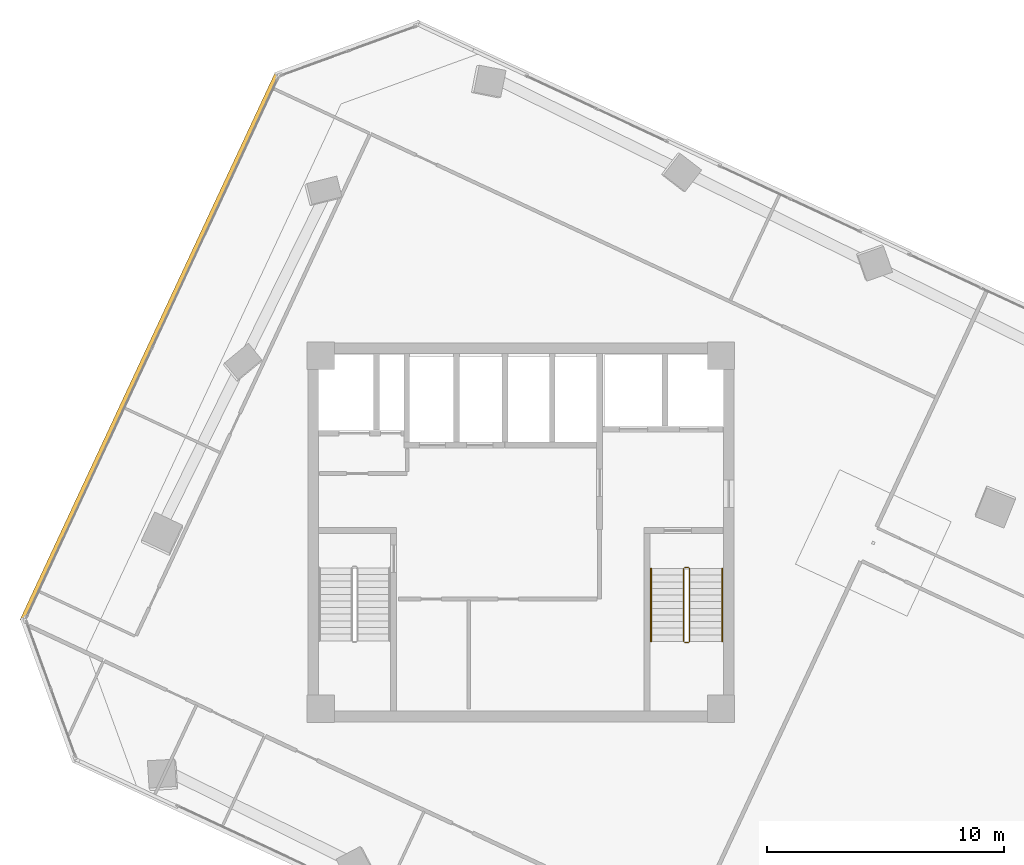
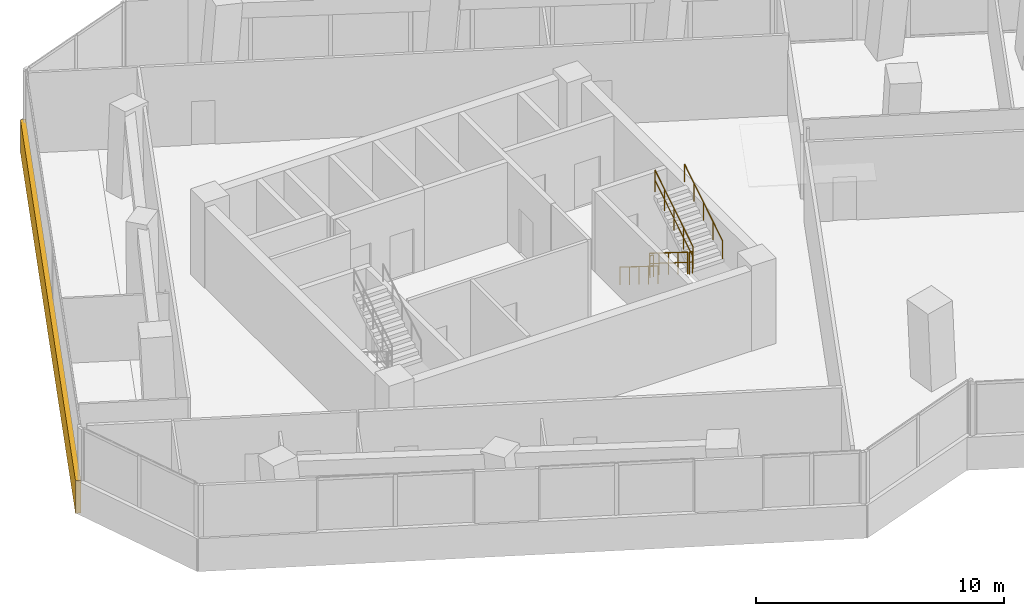
# One storey, part 21 of 23: 6 railings, 1 covering.
"""IFC4 building model written with IfcOpenShell, lengths in metres."""

from ifc_helpers import new_model, si_unit, direction, frame, origin, origin_2d, place, context, subcontext, project, spatial, rectangle, circle, extrude, source, transform, mapped, material, layer, layer_set, type_object, element, save


model = new_model("IFC4")

# Units and contexts
model_context = context("Model", 3, precision=1e-05, world=origin(), true_north=direction((0.0, 1.0)))
body_context = subcontext(model_context, "Body", "Model", "MODEL_VIEW")
ifc_project = project(units=[si_unit("LENGTHUNIT", "METRE"), si_unit("AREAUNIT", "SQUARE_METRE"), si_unit("VOLUMEUNIT", "CUBIC_METRE"), si_unit("PLANEANGLEUNIT", "RADIAN"), si_unit("MASSUNIT", "GRAM", prefix="KILO")], contexts=[model_context])

# Site, building, storey
site_placement = place(None, origin())
site = spatial("IfcSite", under=ifc_project, at=site_placement, CompositionType="ELEMENT")
building_placement = place(site_placement, origin())
building = spatial("IfcBuilding", under=site, at=building_placement, Name="Torre Montelarca", CompositionType="ELEMENT")
storey_placement = place(building_placement, frame((0.0, 0.0, 158.199951171875)))
storey = spatial("IfcBuildingStorey", under=building, at=storey_placement, Name="L35", CompositionType="ELEMENT", Elevation=158.199951171875)

# Railings
ifc_material_1 = material(Name="Powder-coated steel ASTM A500 Grade C", Category="steel")
railing_type_1 = type_object("IfcRailingType", Name="RL-GUARD-1100", PredefinedType="BALUSTRADE", material=ifc_material_1)
railing_1_placement = place(storey_placement, frame((24.8701171875, 30.469970703125, 0.175048828125)))
element("IfcRailing", 1, at=railing_1_placement, inside=storey, type_object=railing_type_1, Name="L35 ST2 stair guard 1", PredefinedType="BALUSTRADE", context=body_context, shape_type="SweptSolid", body=[
    extrude(circle(Radius=0.02392578125, at=origin_2d()), frame((0.0, 0.0, 1.076171875), z_axis=(0.0, -0.847998304005, 0.529998940003), x_axis=(1.0, 0.0, 0.0)), (0.0, 0.0, 1.0), 3.632080078125),
    extrude(circle(Radius=0.02099609375, at=origin_2d()), frame((0.0, 0.0, 0.572021484375), z_axis=(0.0, -0.847998304005, 0.529998940003), x_axis=(1.0, 0.0, 0.0)), (0.0, 0.0, 1.0), 3.632080078125),
    extrude(circle(Radius=0.02099609375, at=origin_2d()), origin(), (0.0, 0.0, 1.0), 1.052001953125),
    extrude(circle(Radius=0.02099609375, at=origin_2d()), frame((0.0, -0.77001953125, 0.481201171875)), (0.0, 0.0, 1.0), 1.052001953125),
    extrude(circle(Radius=0.02099609375, at=origin_2d()), frame((0.0, -1.5400390625, 0.96240234375)), (0.0, 0.0, 1.0), 1.052001953125),
    extrude(circle(Radius=0.02099609375, at=origin_2d()), frame((0.0, -2.31005859375, 1.44384765625)), (0.0, 0.0, 1.0), 1.052001953125),
    extrude(circle(Radius=0.02099609375, at=origin_2d()), frame((0.0, -3.080078125, 1.925048828125)), (0.0, 0.0, 1.0), 1.052001953125),
])
railing_2_placement = place(storey_placement, frame((24.919921875, 27.340087890625, 2.10009765625)))
element("IfcRailing", 2, at=railing_2_placement, inside=storey, type_object=railing_type_1, Name="L35 ST2 stair guard 2", PredefinedType="BALUSTRADE", context=body_context, shape_type="SweptSolid", body=[
    extrude(circle(Radius=0.02392578125, at=origin_2d()), frame((0.0, 0.0, 1.076171875), z_axis=(1.0, 0.0, 0.0), x_axis=(0.0, 1.0, 0.0)), (0.0, 0.0, 1.0), 0.150146484375),
    extrude(circle(Radius=0.02099609375, at=origin_2d()), frame((0.0, 0.0, 0.572021484375), z_axis=(1.0, 0.0, 0.0), x_axis=(0.0, 1.0, 0.0)), (0.0, 0.0, 1.0), 0.150146484375),
    extrude(circle(Radius=0.02099609375, at=origin_2d()), origin(), (0.0, 0.0, 1.0), 1.052001953125),
    extrude(circle(Radius=0.02099609375, at=origin_2d()), frame((0.150146484375, 0.0, 0.0)), (0.0, 0.0, 1.0), 1.052001953125),
])
railing_3_placement = place(storey_placement, frame((25.1201171875, 27.389892578125, 2.275146484375)))
element("IfcRailing", 3, at=railing_3_placement, inside=storey, type_object=railing_type_1, Name="L35 ST2 stair guard 3", PredefinedType="BALUSTRADE", context=body_context, shape_type="SweptSolid", body=[
    extrude(circle(Radius=0.02392578125, at=origin_2d()), frame((0.0, 0.0, 1.076171875), z_axis=(0.0, 0.848028513186, 0.529950602248), x_axis=(-1.0, 0.0, 0.0)), (0.0, 0.0, 1.0), 3.632080078125),
    extrude(circle(Radius=0.02099609375, at=origin_2d()), frame((0.0, 0.0, 0.572021484375), z_axis=(0.0, 0.848028513186, 0.529950602248), x_axis=(-1.0, 0.0, 0.0)), (0.0, 0.0, 1.0), 3.632080078125),
    extrude(circle(Radius=0.02099609375, at=origin_2d()), origin(), (0.0, 0.0, 1.0), 1.052001953125),
    extrude(circle(Radius=0.02099609375, at=origin_2d()), frame((0.0, 0.77001953125, 0.481201171875)), (0.0, 0.0, 1.0), 1.052001953125),
    extrude(circle(Radius=0.02099609375, at=origin_2d()), frame((0.0, 1.5400390625, 0.96240234375)), (0.0, 0.0, 1.0), 1.052001953125),
    extrude(circle(Radius=0.02099609375, at=origin_2d()), frame((0.0, 2.31005859375, 1.443603515625)), (0.0, 0.0, 1.0), 1.052001953125),
    extrude(circle(Radius=0.02099609375, at=origin_2d()), frame((0.0, 3.080078125, 1.9248046875)), (0.0, 0.0, 1.0), 1.052001953125),
])
railing_4_placement = place(storey_placement, frame((24.919921875, 30.52001953125, 0.0)))
element("IfcRailing", 4, at=railing_4_placement, inside=storey, type_object=railing_type_1, Name="L35 ST2 stair guard 4", PredefinedType="BALUSTRADE", context=body_context, shape_type="SweptSolid", body=[
    extrude(circle(Radius=0.02392578125, at=origin_2d()), frame((0.0, 0.0, 1.076171875), z_axis=(1.0, 0.0, 0.0), x_axis=(0.0, 1.0, 0.0)), (0.0, 0.0, 1.0), 0.150146484375),
    extrude(circle(Radius=0.02099609375, at=origin_2d()), frame((0.0, 0.0, 0.572021484375), z_axis=(1.0, 0.0, 0.0), x_axis=(0.0, 1.0, 0.0)), (0.0, 0.0, 1.0), 0.150146484375),
    extrude(circle(Radius=0.02099609375, at=origin_2d()), origin(), (0.0, 0.0, 1.0), 1.052001953125),
    extrude(circle(Radius=0.02099609375, at=origin_2d()), frame((0.150146484375, 0.0, 0.0)), (0.0, 0.0, 1.0), 1.052001953125),
])
ifc_material_2 = material(Name="Brushed stainless steel AISI 316", Category="steel")
railing_type_2 = type_object("IfcRailingType", Name="RL-HANDRAIL-900", PredefinedType="HANDRAIL", material=ifc_material_2)
railing_5_placement = place(storey_placement, frame((23.489990234375, 30.469970703125, 0.175048828125)))
element("IfcRailing", 5, at=railing_5_placement, inside=storey, type_object=railing_type_2, Name="L35 ST2 stair handrail 1", PredefinedType="HANDRAIL", context=body_context, shape_type="SweptSolid", body=[
    extrude(circle(Radius=0.02392578125, at=origin_2d()), frame((0.0, 0.0, 0.8759765625), z_axis=(0.0, -0.847998304005, 0.529998940003), x_axis=(1.0, 0.0, 0.0)), (0.0, 0.0, 1.0), 3.632080078125),
    extrude(circle(Radius=0.02099609375, at=origin_2d()), origin(), (0.0, 0.0, 1.0), 0.851806640625),
    extrude(circle(Radius=0.02099609375, at=origin_2d()), frame((0.0, -0.77001953125, 0.481201171875)), (0.0, 0.0, 1.0), 0.851806640625),
    extrude(circle(Radius=0.02099609375, at=origin_2d()), frame((0.0, -1.5400390625, 0.96240234375)), (0.0, 0.0, 1.0), 0.851806640625),
    extrude(circle(Radius=0.02099609375, at=origin_2d()), frame((0.0, -2.31005859375, 1.44384765625)), (0.0, 0.0, 1.0), 0.851806640625),
    extrude(circle(Radius=0.02099609375, at=origin_2d()), frame((0.0, -3.080078125, 1.925048828125)), (0.0, 0.0, 1.0), 0.851806640625),
])
railing_6_placement = place(storey_placement, frame((26.5, 27.389892578125, 2.275146484375)))
element("IfcRailing", 6, at=railing_6_placement, inside=storey, type_object=railing_type_2, Name="L35 ST2 stair handrail 2", PredefinedType="HANDRAIL", context=body_context, shape_type="SweptSolid", body=[
    extrude(circle(Radius=0.02392578125, at=origin_2d()), frame((0.0, 0.0, 0.8759765625), z_axis=(0.0, 0.848028513186, 0.529950602248), x_axis=(-1.0, 0.0, 0.0)), (0.0, 0.0, 1.0), 3.632080078125),
    extrude(circle(Radius=0.02099609375, at=origin_2d()), origin(), (0.0, 0.0, 1.0), 0.851806640625),
    extrude(circle(Radius=0.02099609375, at=origin_2d()), frame((0.0, 0.77001953125, 0.481201171875)), (0.0, 0.0, 1.0), 0.851806640625),
    extrude(circle(Radius=0.02099609375, at=origin_2d()), frame((0.0, 1.5400390625, 0.96240234375)), (0.0, 0.0, 1.0), 0.851806640625),
    extrude(circle(Radius=0.02099609375, at=origin_2d()), frame((0.0, 2.31005859375, 1.443603515625)), (0.0, 0.0, 1.0), 0.851806640625),
    extrude(circle(Radius=0.02099609375, at=origin_2d()), frame((0.0, 3.080078125, 1.9248046875)), (0.0, 0.0, 1.0), 0.851806640625),
])

# Covering
ifc_material_3 = material(Name="Bush-hammered warm white precast concrete C45/55", Category="concrete")
ifc_layer = layer(ifc_material_3, 0.139892578125, Name="Bush-hammered warm white precast concrete C45/55", Category="concrete")
ifc_layer_set = layer_set([ifc_layer], Name="Bush-hammered warm white precast concrete C45/55")
covering_type = type_object("IfcCoveringType", Name="COV-TRAY-CLAD", PredefinedType="CLADDING", material=ifc_layer_set)
shared_shape = source(origin(), body_context, "Body", "SweptSolid", [
    extrude(rectangle(XDim=25.52001953125, YDim=0.219970703125, at=origin_2d()), origin(), (0.0, 0.0, 1.0), 1.6201171875),
])
covering_placement = place(storey_placement, frame((2.343994140625, 39.8291015625, -0.449951171875), z_axis=(0.0, 0.0, 1.0), x_axis=(-0.422618261741, -0.906307787037, 0.0)))
element("IfcCovering", 7, at=covering_placement, inside=storey, type_object=covering_type, Name="L35 Architectural White Spandrel Tray Band TRYBOT-10", PredefinedType="CLADDING", context=body_context, shape_type="MappedRepresentation", body=[
    mapped(shared_shape, transform((0.0, 0.0, 0.0), scale=1.0)),
])

save(model, "model.ifc")
